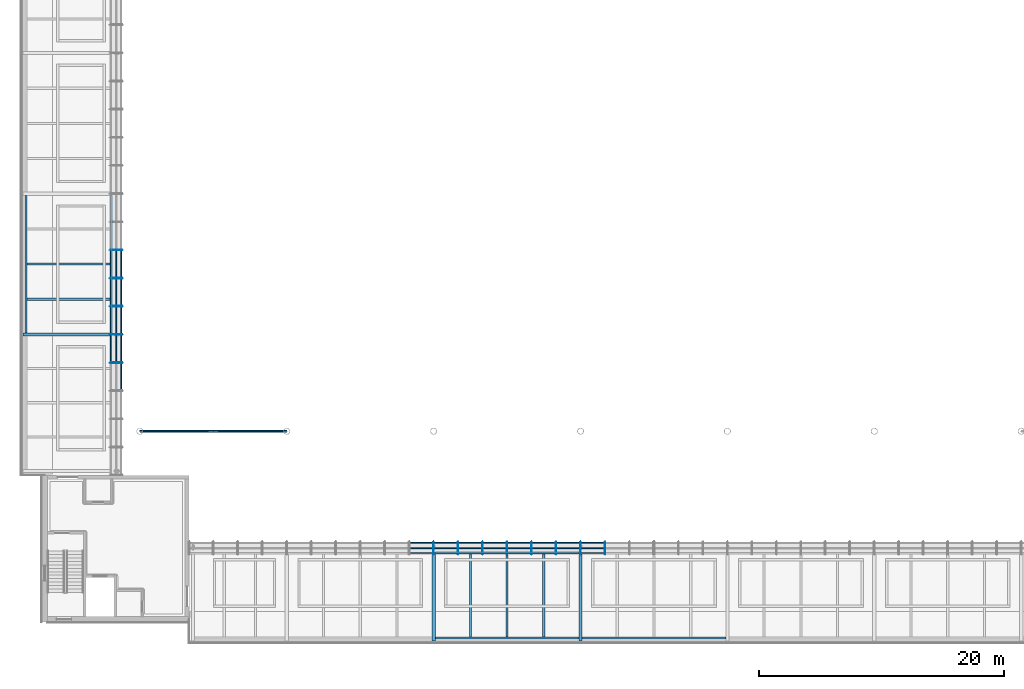
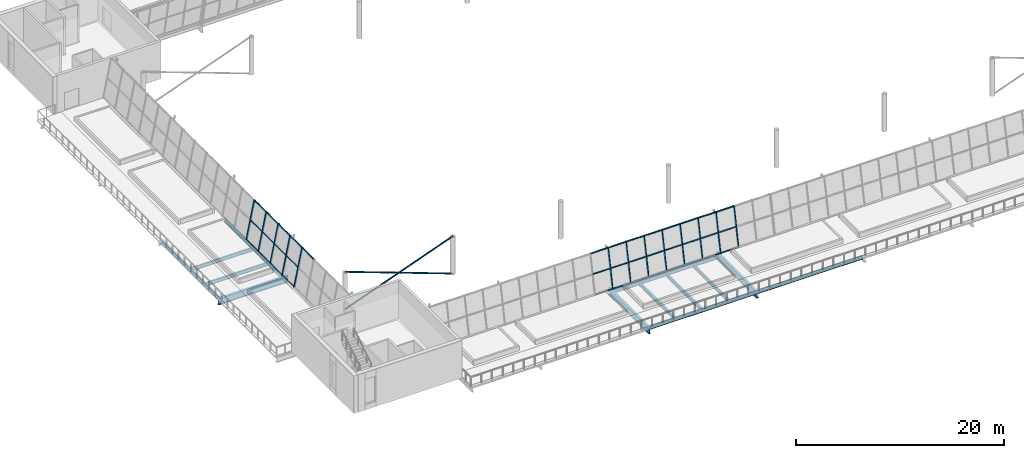
# One storey, part 11 of 58: 53 members, 13 beams, 2 elements without a shape of their own.
"""IFC4 building model written with IfcOpenShell, lengths in metres."""

from ifc_helpers import new_model, si_unit, direction, frame, origin, origin_2d, place, context, subcontext, project, spatial, rectangle, hollow_circle, i_section, extrude, material, layer, layer_set, material_profile, profile_set, type_object, element, aggregate, save


model = new_model("IFC4")

# Units and contexts
model_context = context("Model", 3, precision=1e-05, world=origin(), true_north=direction((0.0, 1.0)))
body_context = subcontext(model_context, "Body", "Model", "MODEL_VIEW")
ifc_project = project(units=[si_unit("LENGTHUNIT", "METRE"), si_unit("AREAUNIT", "SQUARE_METRE"), si_unit("VOLUMEUNIT", "CUBIC_METRE"), si_unit("PLANEANGLEUNIT", "RADIAN"), si_unit("MASSUNIT", "GRAM", prefix="KILO")], contexts=[model_context])

# Site, building, storey
site_placement = place(None, origin())
site = spatial("IfcSite", under=ifc_project, at=site_placement, CompositionType="ELEMENT")
building_placement = place(site_placement, origin())
building = spatial("IfcBuilding", under=site, at=building_placement, Name="Windward Yard Aquatics Centre", CompositionType="ELEMENT")
storey_placement = place(building_placement, frame((0.0, 0.0, 13.800048828125)))
storey = spatial("IfcBuildingStorey", under=building, at=storey_placement, Name="L03", CompositionType="ELEMENT", Elevation=13.800048828125)

# Curtain wall, members
ifc_material_1 = material(Name="Glass and aluminium curtain wall", Category="aluminium")
ifc_layer = layer(ifc_material_1, 0.179931640625)
ifc_layer_set = layer_set([ifc_layer], Name="H curtain wall tier 2 double glazed 6+16+6")
curtain_wall_type = type_object("IfcCurtainWallType", Name="H curtain wall tier 2 double glazed 6+16+6", PredefinedType="NOTDEFINED", material=ifc_layer_set)
curtain_wall_1_placement = place(storey_placement, origin())
curtain_wall_1 = element("IfcCurtainWall", 1, at=curtain_wall_1_placement, inside=storey, type_object=curtain_wall_type, Name="Tier 2 glazing S L03", PredefinedType="NOTDEFINED")
ifc_material_2 = material(Name="Aluminium 6063-T6 anodised", Category="aluminium")
ifc_material_profile_1 = material_profile(ifc_material_2, rectangle(XDim=0.06494140625, YDim=0.179931640625, at=origin_2d()), Name="H CW mullion 65x180")
ifc_profile_set_1 = profile_set([ifc_material_profile_1], Name="Aluminium 6063-T6 anodised")
member_type_1 = type_object("IfcMemberType", Name="H CW mullion 65x180", PredefinedType="MULLION", material=ifc_profile_set_1)
member_1_placement = place(storey_placement, frame((83.997314453125, 31.61376953125, 0.017822265625), z_axis=(0.0, 0.199327811945, 0.979932866775), x_axis=(-1.0, 0.0, 0.0)))
member_1 = element("IfcMember", 2, at=member_1_placement, type_object=member_type_1, Name="G2SA mullion 11", PredefinedType="MULLION", context=body_context, shape_type="SweptSolid", body=[
    extrude(rectangle(XDim=0.06494140625, YDim=0.179931640625, at=origin_2d()), origin(), (0.0, 0.0, 1.0), 4.471923828125),
])
member_2_placement = place(storey_placement, frame((85.9970703125, 31.61376953125, 0.017822265625), z_axis=(0.0, 0.199327811945, 0.979932866775), x_axis=(-1.0, 0.0, 0.0)))
member_2 = element("IfcMember", 3, at=member_2_placement, type_object=member_type_1, Name="G2SA mullion 12", PredefinedType="MULLION", context=body_context, shape_type="SweptSolid", body=[
    extrude(rectangle(XDim=0.06494140625, YDim=0.179931640625, at=origin_2d()), origin(), (0.0, 0.0, 1.0), 4.471923828125),
])
member_3_placement = place(storey_placement, frame((87.996826171875, 31.61376953125, 0.017822265625), z_axis=(0.0, 0.199327811945, 0.979932866775), x_axis=(-1.0, 0.0, 0.0)))
member_3 = element("IfcMember", 4, at=member_3_placement, type_object=member_type_1, Name="G2SA mullion 13", PredefinedType="MULLION", context=body_context, shape_type="SweptSolid", body=[
    extrude(rectangle(XDim=0.06494140625, YDim=0.179931640625, at=origin_2d()), origin(), (0.0, 0.0, 1.0), 4.471923828125),
])
member_4_placement = place(storey_placement, frame((89.99658203125, 31.61376953125, 0.017822265625), z_axis=(0.0, 0.199327811945, 0.979932866775), x_axis=(-1.0, 0.0, 0.0)))
member_4 = element("IfcMember", 5, at=member_4_placement, type_object=member_type_1, Name="G2SA mullion 14", PredefinedType="MULLION", context=body_context, shape_type="SweptSolid", body=[
    extrude(rectangle(XDim=0.06494140625, YDim=0.179931640625, at=origin_2d()), origin(), (0.0, 0.0, 1.0), 4.471923828125),
])
member_5_placement = place(storey_placement, frame((91.996337890625, 31.61376953125, 0.017822265625), z_axis=(0.0, 0.199327811945, 0.979932866775), x_axis=(-1.0, 0.0, 0.0)))
member_5 = element("IfcMember", 6, at=member_5_placement, type_object=member_type_1, Name="G2SA mullion 15", PredefinedType="MULLION", context=body_context, shape_type="SweptSolid", body=[
    extrude(rectangle(XDim=0.06494140625, YDim=0.179931640625, at=origin_2d()), origin(), (0.0, 0.0, 1.0), 4.471923828125),
])
member_6_placement = place(storey_placement, frame((93.99609375, 31.61376953125, 0.017822265625), z_axis=(0.0, 0.199327811945, 0.979932866775), x_axis=(-1.0, 0.0, 0.0)))
member_6 = element("IfcMember", 7, at=member_6_placement, type_object=member_type_1, Name="G2SA mullion 16", PredefinedType="MULLION", context=body_context, shape_type="SweptSolid", body=[
    extrude(rectangle(XDim=0.06494140625, YDim=0.179931640625, at=origin_2d()), origin(), (0.0, 0.0, 1.0), 4.471923828125),
])
member_7_placement = place(storey_placement, frame((95.995849609375, 31.61376953125, 0.017822265625), z_axis=(0.0, 0.199327811945, 0.979932866775), x_axis=(-1.0, 0.0, 0.0)))
member_7 = element("IfcMember", 8, at=member_7_placement, type_object=member_type_1, Name="G2SA mullion 17", PredefinedType="MULLION", context=body_context, shape_type="SweptSolid", body=[
    extrude(rectangle(XDim=0.06494140625, YDim=0.179931640625, at=origin_2d()), origin(), (0.0, 0.0, 1.0), 4.471923828125),
])
member_8_placement = place(storey_placement, frame((97.99560546875, 31.61376953125, 0.017822265625), z_axis=(0.0, 0.199327811945, 0.979932866775), x_axis=(-1.0, 0.0, 0.0)))
member_8 = element("IfcMember", 9, at=member_8_placement, type_object=member_type_1, Name="G2SA mullion 18", PredefinedType="MULLION", context=body_context, shape_type="SweptSolid", body=[
    extrude(rectangle(XDim=0.06494140625, YDim=0.179931640625, at=origin_2d()), origin(), (0.0, 0.0, 1.0), 4.471923828125),
])

curtain_wall_2_placement = place(storey_placement, origin())
curtain_wall_2 = element("IfcCurtainWall", 10, at=curtain_wall_2_placement, inside=storey, type_object=curtain_wall_type, Name="Tier 2 glazing W L03", PredefinedType="NOTDEFINED")
member_9_placement = place(storey_placement, frame((57.61376953125, 47.199951171875, 0.017822265625), z_axis=(0.199327811945, 0.0, 0.979932866775), x_axis=(0.0, 1.0, 0.0)))
member_9 = element("IfcMember", 11, at=member_9_placement, type_object=member_type_1, Name="G2WA mullion 5", PredefinedType="MULLION", context=body_context, shape_type="SweptSolid", body=[
    extrude(rectangle(XDim=0.06494140625, YDim=0.179931640625, at=origin_2d()), origin(), (0.0, 0.0, 1.0), 4.471923828125),
])
member_10_placement = place(storey_placement, frame((57.61376953125, 49.5, 0.017822265625), z_axis=(0.199327811945, 0.0, 0.979932866775), x_axis=(0.0, 1.0, 0.0)))
member_10 = element("IfcMember", 12, at=member_10_placement, type_object=member_type_1, Name="G2WA mullion 6", PredefinedType="MULLION", context=body_context, shape_type="SweptSolid", body=[
    extrude(rectangle(XDim=0.06494140625, YDim=0.179931640625, at=origin_2d()), origin(), (0.0, 0.0, 1.0), 4.471923828125),
])
member_11_placement = place(storey_placement, frame((57.61376953125, 51.800048828125, 0.017822265625), z_axis=(0.199327811945, 0.0, 0.979932866775), x_axis=(0.0, 1.0, 0.0)))
member_11 = element("IfcMember", 13, at=member_11_placement, type_object=member_type_1, Name="G2WA mullion 7", PredefinedType="MULLION", context=body_context, shape_type="SweptSolid", body=[
    extrude(rectangle(XDim=0.06494140625, YDim=0.179931640625, at=origin_2d()), origin(), (0.0, 0.0, 1.0), 4.471923828125),
])
member_12_placement = place(storey_placement, frame((57.61376953125, 54.10009765625, 0.017822265625), z_axis=(0.199327811945, 0.0, 0.979932866775), x_axis=(0.0, 1.0, 0.0)))
member_12 = element("IfcMember", 14, at=member_12_placement, type_object=member_type_1, Name="G2WA mullion 8", PredefinedType="MULLION", context=body_context, shape_type="SweptSolid", body=[
    extrude(rectangle(XDim=0.06494140625, YDim=0.179931640625, at=origin_2d()), origin(), (0.0, 0.0, 1.0), 4.471923828125),
])
member_13_placement = place(storey_placement, frame((57.61376953125, 56.39990234375, 0.017822265625), z_axis=(0.199327811945, 0.0, 0.979932866775), x_axis=(0.0, 1.0, 0.0)))
member_13 = element("IfcMember", 15, at=member_13_placement, type_object=member_type_1, Name="G2WA mullion 9", PredefinedType="MULLION", context=body_context, shape_type="SweptSolid", body=[
    extrude(rectangle(XDim=0.06494140625, YDim=0.179931640625, at=origin_2d()), origin(), (0.0, 0.0, 1.0), 4.471923828125),
])

# Member
ifc_material_profile_2 = material_profile(ifc_material_2, rectangle(XDim=0.06494140625, YDim=0.10009765625, at=origin_2d()), Name="H CW transom 65x100")
ifc_profile_set_2 = profile_set([ifc_material_profile_2], Name="Aluminium 6063-T6 anodised")
member_type_2 = type_object("IfcMemberType", Name="H CW transom 65x100", PredefinedType="USERDEFINED", material=ifc_profile_set_2)
member_14_placement = place(storey_placement, frame((82.030029296875, 31.621337890625, 0.055419921875), z_axis=(1.0, 0.0, 0.0), x_axis=(0.0, -0.979924704642, 0.199367934315)))
member_14 = element("IfcMember", 16, at=member_14_placement, type_object=member_type_2, Name="G2SA transom 10.1", ObjectType="TRANSOM", PredefinedType="USERDEFINED", context=body_context, shape_type="SweptSolid", body=[
    extrude(rectangle(XDim=0.06494140625, YDim=0.10009765625, at=origin_2d()), origin(), (0.0, 0.0, 1.0), 1.934814453125),
])

member_15_placement = place(storey_placement, frame((82.030029296875, 32.0576171875, 2.199951171875), z_axis=(1.0, 0.0, 0.0), x_axis=(0.0, -0.979924704642, 0.199367934315)))
member_15 = element("IfcMember", 17, at=member_15_placement, type_object=member_type_2, Name="G2SA transom 10.2", ObjectType="TRANSOM", PredefinedType="USERDEFINED", context=body_context, shape_type="SweptSolid", body=[
    extrude(rectangle(XDim=0.06494140625, YDim=0.10009765625, at=origin_2d()), origin(), (0.0, 0.0, 1.0), 1.934814453125),
])

member_16_placement = place(storey_placement, frame((82.030029296875, 32.4951171875, 4.35107421875), z_axis=(1.0, 0.0, 0.0), x_axis=(0.0, -0.979924704642, 0.199367934315)))
member_16 = element("IfcMember", 18, at=member_16_placement, type_object=member_type_2, Name="G2SA transom 10.3", ObjectType="TRANSOM", PredefinedType="USERDEFINED", context=body_context, shape_type="SweptSolid", body=[
    extrude(rectangle(XDim=0.06494140625, YDim=0.10009765625, at=origin_2d()), origin(), (0.0, 0.0, 1.0), 1.934814453125),
])

member_17_placement = place(storey_placement, frame((84.02978515625, 31.621337890625, 0.055419921875), z_axis=(1.0, 0.0, 0.0), x_axis=(0.0, -0.979924704642, 0.199367934315)))
member_17 = element("IfcMember", 19, at=member_17_placement, type_object=member_type_2, Name="G2SA transom 11.1", ObjectType="TRANSOM", PredefinedType="USERDEFINED", context=body_context, shape_type="SweptSolid", body=[
    extrude(rectangle(XDim=0.06494140625, YDim=0.10009765625, at=origin_2d()), origin(), (0.0, 0.0, 1.0), 1.934814453125),
])

member_18_placement = place(storey_placement, frame((84.02978515625, 32.0576171875, 2.199951171875), z_axis=(1.0, 0.0, 0.0), x_axis=(0.0, -0.979924704642, 0.199367934315)))
member_18 = element("IfcMember", 20, at=member_18_placement, type_object=member_type_2, Name="G2SA transom 11.2", ObjectType="TRANSOM", PredefinedType="USERDEFINED", context=body_context, shape_type="SweptSolid", body=[
    extrude(rectangle(XDim=0.06494140625, YDim=0.10009765625, at=origin_2d()), origin(), (0.0, 0.0, 1.0), 1.934814453125),
])

member_19_placement = place(storey_placement, frame((84.02978515625, 32.4951171875, 4.35107421875), z_axis=(1.0, 0.0, 0.0), x_axis=(0.0, -0.979924704642, 0.199367934315)))
member_19 = element("IfcMember", 21, at=member_19_placement, type_object=member_type_2, Name="G2SA transom 11.3", ObjectType="TRANSOM", PredefinedType="USERDEFINED", context=body_context, shape_type="SweptSolid", body=[
    extrude(rectangle(XDim=0.06494140625, YDim=0.10009765625, at=origin_2d()), origin(), (0.0, 0.0, 1.0), 1.934814453125),
])

member_20_placement = place(storey_placement, frame((86.029541015625, 31.621337890625, 0.055419921875), z_axis=(1.0, 0.0, 0.0), x_axis=(0.0, -0.979924704642, 0.199367934315)))
member_20 = element("IfcMember", 22, at=member_20_placement, type_object=member_type_2, Name="G2SA transom 12.1", ObjectType="TRANSOM", PredefinedType="USERDEFINED", context=body_context, shape_type="SweptSolid", body=[
    extrude(rectangle(XDim=0.06494140625, YDim=0.10009765625, at=origin_2d()), origin(), (0.0, 0.0, 1.0), 1.934814453125),
])

member_21_placement = place(storey_placement, frame((86.029541015625, 32.0576171875, 2.199951171875), z_axis=(1.0, 0.0, 0.0), x_axis=(0.0, -0.979924704642, 0.199367934315)))
member_21 = element("IfcMember", 23, at=member_21_placement, type_object=member_type_2, Name="G2SA transom 12.2", ObjectType="TRANSOM", PredefinedType="USERDEFINED", context=body_context, shape_type="SweptSolid", body=[
    extrude(rectangle(XDim=0.06494140625, YDim=0.10009765625, at=origin_2d()), origin(), (0.0, 0.0, 1.0), 1.934814453125),
])

member_22_placement = place(storey_placement, frame((86.029541015625, 32.4951171875, 4.35107421875), z_axis=(1.0, 0.0, 0.0), x_axis=(0.0, -0.979924704642, 0.199367934315)))
member_22 = element("IfcMember", 24, at=member_22_placement, type_object=member_type_2, Name="G2SA transom 12.3", ObjectType="TRANSOM", PredefinedType="USERDEFINED", context=body_context, shape_type="SweptSolid", body=[
    extrude(rectangle(XDim=0.06494140625, YDim=0.10009765625, at=origin_2d()), origin(), (0.0, 0.0, 1.0), 1.934814453125),
])

member_23_placement = place(storey_placement, frame((88.029296875, 31.621337890625, 0.055419921875), z_axis=(1.0, 0.0, 0.0), x_axis=(0.0, -0.979924704642, 0.199367934315)))
member_23 = element("IfcMember", 25, at=member_23_placement, type_object=member_type_2, Name="G2SA transom 13.1", ObjectType="TRANSOM", PredefinedType="USERDEFINED", context=body_context, shape_type="SweptSolid", body=[
    extrude(rectangle(XDim=0.06494140625, YDim=0.10009765625, at=origin_2d()), origin(), (0.0, 0.0, 1.0), 1.934814453125),
])

member_24_placement = place(storey_placement, frame((88.029296875, 32.0576171875, 2.199951171875), z_axis=(1.0, 0.0, 0.0), x_axis=(0.0, -0.979924704642, 0.199367934315)))
member_24 = element("IfcMember", 26, at=member_24_placement, type_object=member_type_2, Name="G2SA transom 13.2", ObjectType="TRANSOM", PredefinedType="USERDEFINED", context=body_context, shape_type="SweptSolid", body=[
    extrude(rectangle(XDim=0.06494140625, YDim=0.10009765625, at=origin_2d()), origin(), (0.0, 0.0, 1.0), 1.934814453125),
])

member_25_placement = place(storey_placement, frame((88.029296875, 32.4951171875, 4.35107421875), z_axis=(1.0, 0.0, 0.0), x_axis=(0.0, -0.979924704642, 0.199367934315)))
member_25 = element("IfcMember", 27, at=member_25_placement, type_object=member_type_2, Name="G2SA transom 13.3", ObjectType="TRANSOM", PredefinedType="USERDEFINED", context=body_context, shape_type="SweptSolid", body=[
    extrude(rectangle(XDim=0.06494140625, YDim=0.10009765625, at=origin_2d()), origin(), (0.0, 0.0, 1.0), 1.934814453125),
])

member_26_placement = place(storey_placement, frame((90.029052734375, 31.621337890625, 0.055419921875), z_axis=(1.0, 0.0, 0.0), x_axis=(0.0, -0.979924704642, 0.199367934315)))
member_26 = element("IfcMember", 28, at=member_26_placement, type_object=member_type_2, Name="G2SA transom 14.1", ObjectType="TRANSOM", PredefinedType="USERDEFINED", context=body_context, shape_type="SweptSolid", body=[
    extrude(rectangle(XDim=0.06494140625, YDim=0.10009765625, at=origin_2d()), origin(), (0.0, 0.0, 1.0), 1.934814453125),
])

member_27_placement = place(storey_placement, frame((90.029052734375, 32.0576171875, 2.199951171875), z_axis=(1.0, 0.0, 0.0), x_axis=(0.0, -0.979924704642, 0.199367934315)))
member_27 = element("IfcMember", 29, at=member_27_placement, type_object=member_type_2, Name="G2SA transom 14.2", ObjectType="TRANSOM", PredefinedType="USERDEFINED", context=body_context, shape_type="SweptSolid", body=[
    extrude(rectangle(XDim=0.06494140625, YDim=0.10009765625, at=origin_2d()), origin(), (0.0, 0.0, 1.0), 1.934814453125),
])

member_28_placement = place(storey_placement, frame((90.029052734375, 32.4951171875, 4.35107421875), z_axis=(1.0, 0.0, 0.0), x_axis=(0.0, -0.979924704642, 0.199367934315)))
member_28 = element("IfcMember", 30, at=member_28_placement, type_object=member_type_2, Name="G2SA transom 14.3", ObjectType="TRANSOM", PredefinedType="USERDEFINED", context=body_context, shape_type="SweptSolid", body=[
    extrude(rectangle(XDim=0.06494140625, YDim=0.10009765625, at=origin_2d()), origin(), (0.0, 0.0, 1.0), 1.934814453125),
])

member_29_placement = place(storey_placement, frame((92.02880859375, 31.621337890625, 0.055419921875), z_axis=(1.0, 0.0, 0.0), x_axis=(0.0, -0.979924704642, 0.199367934315)))
member_29 = element("IfcMember", 31, at=member_29_placement, type_object=member_type_2, Name="G2SA transom 15.1", ObjectType="TRANSOM", PredefinedType="USERDEFINED", context=body_context, shape_type="SweptSolid", body=[
    extrude(rectangle(XDim=0.06494140625, YDim=0.10009765625, at=origin_2d()), origin(), (0.0, 0.0, 1.0), 1.934814453125),
])

member_30_placement = place(storey_placement, frame((92.02880859375, 32.0576171875, 2.199951171875), z_axis=(1.0, 0.0, 0.0), x_axis=(0.0, -0.979924704642, 0.199367934315)))
member_30 = element("IfcMember", 32, at=member_30_placement, type_object=member_type_2, Name="G2SA transom 15.2", ObjectType="TRANSOM", PredefinedType="USERDEFINED", context=body_context, shape_type="SweptSolid", body=[
    extrude(rectangle(XDim=0.06494140625, YDim=0.10009765625, at=origin_2d()), origin(), (0.0, 0.0, 1.0), 1.934814453125),
])

member_31_placement = place(storey_placement, frame((92.02880859375, 32.4951171875, 4.35107421875), z_axis=(1.0, 0.0, 0.0), x_axis=(0.0, -0.979924704642, 0.199367934315)))
member_31 = element("IfcMember", 33, at=member_31_placement, type_object=member_type_2, Name="G2SA transom 15.3", ObjectType="TRANSOM", PredefinedType="USERDEFINED", context=body_context, shape_type="SweptSolid", body=[
    extrude(rectangle(XDim=0.06494140625, YDim=0.10009765625, at=origin_2d()), origin(), (0.0, 0.0, 1.0), 1.934814453125),
])

member_32_placement = place(storey_placement, frame((94.028564453125, 31.621337890625, 0.055419921875), z_axis=(1.0, 0.0, 0.0), x_axis=(0.0, -0.979924704642, 0.199367934315)))
member_32 = element("IfcMember", 34, at=member_32_placement, type_object=member_type_2, Name="G2SA transom 16.1", ObjectType="TRANSOM", PredefinedType="USERDEFINED", context=body_context, shape_type="SweptSolid", body=[
    extrude(rectangle(XDim=0.06494140625, YDim=0.10009765625, at=origin_2d()), origin(), (0.0, 0.0, 1.0), 1.934814453125),
])

member_33_placement = place(storey_placement, frame((94.028564453125, 32.0576171875, 2.199951171875), z_axis=(1.0, 0.0, 0.0), x_axis=(0.0, -0.979924704642, 0.199367934315)))
member_33 = element("IfcMember", 35, at=member_33_placement, type_object=member_type_2, Name="G2SA transom 16.2", ObjectType="TRANSOM", PredefinedType="USERDEFINED", context=body_context, shape_type="SweptSolid", body=[
    extrude(rectangle(XDim=0.06494140625, YDim=0.10009765625, at=origin_2d()), origin(), (0.0, 0.0, 1.0), 1.934814453125),
])

member_34_placement = place(storey_placement, frame((94.028564453125, 32.4951171875, 4.35107421875), z_axis=(1.0, 0.0, 0.0), x_axis=(0.0, -0.979924704642, 0.199367934315)))
member_34 = element("IfcMember", 36, at=member_34_placement, type_object=member_type_2, Name="G2SA transom 16.3", ObjectType="TRANSOM", PredefinedType="USERDEFINED", context=body_context, shape_type="SweptSolid", body=[
    extrude(rectangle(XDim=0.06494140625, YDim=0.10009765625, at=origin_2d()), origin(), (0.0, 0.0, 1.0), 1.934814453125),
])

member_35_placement = place(storey_placement, frame((96.0283203125, 31.621337890625, 0.055419921875), z_axis=(1.0, 0.0, 0.0), x_axis=(0.0, -0.979924704642, 0.199367934315)))
member_35 = element("IfcMember", 37, at=member_35_placement, type_object=member_type_2, Name="G2SA transom 17.1", ObjectType="TRANSOM", PredefinedType="USERDEFINED", context=body_context, shape_type="SweptSolid", body=[
    extrude(rectangle(XDim=0.06494140625, YDim=0.10009765625, at=origin_2d()), origin(), (0.0, 0.0, 1.0), 1.934814453125),
])

member_36_placement = place(storey_placement, frame((96.0283203125, 32.0576171875, 2.199951171875), z_axis=(1.0, 0.0, 0.0), x_axis=(0.0, -0.979924704642, 0.199367934315)))
member_36 = element("IfcMember", 38, at=member_36_placement, type_object=member_type_2, Name="G2SA transom 17.2", ObjectType="TRANSOM", PredefinedType="USERDEFINED", context=body_context, shape_type="SweptSolid", body=[
    extrude(rectangle(XDim=0.06494140625, YDim=0.10009765625, at=origin_2d()), origin(), (0.0, 0.0, 1.0), 1.934814453125),
])

member_37_placement = place(storey_placement, frame((96.0283203125, 32.4951171875, 4.35107421875), z_axis=(1.0, 0.0, 0.0), x_axis=(0.0, -0.979924704642, 0.199367934315)))
member_37 = element("IfcMember", 39, at=member_37_placement, type_object=member_type_2, Name="G2SA transom 17.3", ObjectType="TRANSOM", PredefinedType="USERDEFINED", context=body_context, shape_type="SweptSolid", body=[
    extrude(rectangle(XDim=0.06494140625, YDim=0.10009765625, at=origin_2d()), origin(), (0.0, 0.0, 1.0), 1.934814453125),
])

aggregate(curtain_wall_1, [member_1, member_2, member_3, member_4, member_5, member_6, member_7, member_8, member_14, member_15, member_16, member_17, member_18, member_19, member_20, member_21, member_22, member_23, member_24, member_25, member_26, member_27, member_28, member_29, member_30, member_31, member_32, member_33, member_34, member_35, member_36, member_37])

member_38_placement = place(storey_placement, frame((58.4951171875, 44.9326171875, 4.35107421875), z_axis=(0.0, 1.0, 0.0), x_axis=(-0.979924704642, 0.0, 0.199367934315)))
member_38 = element("IfcMember", 40, at=member_38_placement, type_object=member_type_2, Name="G2WA transom 4.3", ObjectType="TRANSOM", PredefinedType="USERDEFINED", context=body_context, shape_type="SweptSolid", body=[
    extrude(rectangle(XDim=0.06494140625, YDim=0.10009765625, at=origin_2d()), origin(), (0.0, 0.0, 1.0), 2.23486328125),
])

member_39_placement = place(storey_placement, frame((57.621337890625, 47.232421875, 0.055419921875), z_axis=(0.0, 1.0, 0.0), x_axis=(-0.979924704642, 0.0, 0.199367934315)))
member_39 = element("IfcMember", 41, at=member_39_placement, type_object=member_type_2, Name="G2WA transom 5.1", ObjectType="TRANSOM", PredefinedType="USERDEFINED", context=body_context, shape_type="SweptSolid", body=[
    extrude(rectangle(XDim=0.06494140625, YDim=0.10009765625, at=origin_2d()), origin(), (0.0, 0.0, 1.0), 2.235107421875),
])

member_40_placement = place(storey_placement, frame((58.0576171875, 47.232421875, 2.199951171875), z_axis=(0.0, 1.0, 0.0), x_axis=(-0.979924704642, 0.0, 0.199367934315)))
member_40 = element("IfcMember", 42, at=member_40_placement, type_object=member_type_2, Name="G2WA transom 5.2", ObjectType="TRANSOM", PredefinedType="USERDEFINED", context=body_context, shape_type="SweptSolid", body=[
    extrude(rectangle(XDim=0.06494140625, YDim=0.10009765625, at=origin_2d()), origin(), (0.0, 0.0, 1.0), 2.235107421875),
])

member_41_placement = place(storey_placement, frame((58.4951171875, 47.232421875, 4.35107421875), z_axis=(0.0, 1.0, 0.0), x_axis=(-0.979924704642, 0.0, 0.199367934315)))
member_41 = element("IfcMember", 43, at=member_41_placement, type_object=member_type_2, Name="G2WA transom 5.3", ObjectType="TRANSOM", PredefinedType="USERDEFINED", context=body_context, shape_type="SweptSolid", body=[
    extrude(rectangle(XDim=0.06494140625, YDim=0.10009765625, at=origin_2d()), origin(), (0.0, 0.0, 1.0), 2.235107421875),
])

member_42_placement = place(storey_placement, frame((57.621337890625, 49.532470703125, 0.055419921875), z_axis=(0.0, 1.0, 0.0), x_axis=(-0.979924704642, 0.0, 0.199367934315)))
member_42 = element("IfcMember", 44, at=member_42_placement, type_object=member_type_2, Name="G2WA transom 6.1", ObjectType="TRANSOM", PredefinedType="USERDEFINED", context=body_context, shape_type="SweptSolid", body=[
    extrude(rectangle(XDim=0.06494140625, YDim=0.10009765625, at=origin_2d()), origin(), (0.0, 0.0, 1.0), 2.235107421875),
])

member_43_placement = place(storey_placement, frame((58.0576171875, 49.532470703125, 2.199951171875), z_axis=(0.0, 1.0, 0.0), x_axis=(-0.979924704642, 0.0, 0.199367934315)))
member_43 = element("IfcMember", 45, at=member_43_placement, type_object=member_type_2, Name="G2WA transom 6.2", ObjectType="TRANSOM", PredefinedType="USERDEFINED", context=body_context, shape_type="SweptSolid", body=[
    extrude(rectangle(XDim=0.06494140625, YDim=0.10009765625, at=origin_2d()), origin(), (0.0, 0.0, 1.0), 2.235107421875),
])

member_44_placement = place(storey_placement, frame((58.4951171875, 49.532470703125, 4.35107421875), z_axis=(0.0, 1.0, 0.0), x_axis=(-0.979924704642, 0.0, 0.199367934315)))
member_44 = element("IfcMember", 46, at=member_44_placement, type_object=member_type_2, Name="G2WA transom 6.3", ObjectType="TRANSOM", PredefinedType="USERDEFINED", context=body_context, shape_type="SweptSolid", body=[
    extrude(rectangle(XDim=0.06494140625, YDim=0.10009765625, at=origin_2d()), origin(), (0.0, 0.0, 1.0), 2.235107421875),
])

member_45_placement = place(storey_placement, frame((57.621337890625, 51.83251953125, 0.055419921875), z_axis=(0.0, 1.0, 0.0), x_axis=(-0.979924704642, 0.0, 0.199367934315)))
member_45 = element("IfcMember", 47, at=member_45_placement, type_object=member_type_2, Name="G2WA transom 7.1", ObjectType="TRANSOM", PredefinedType="USERDEFINED", context=body_context, shape_type="SweptSolid", body=[
    extrude(rectangle(XDim=0.06494140625, YDim=0.10009765625, at=origin_2d()), origin(), (0.0, 0.0, 1.0), 2.23486328125),
])

member_46_placement = place(storey_placement, frame((58.0576171875, 51.83251953125, 2.199951171875), z_axis=(0.0, 1.0, 0.0), x_axis=(-0.979924704642, 0.0, 0.199367934315)))
member_46 = element("IfcMember", 48, at=member_46_placement, type_object=member_type_2, Name="G2WA transom 7.2", ObjectType="TRANSOM", PredefinedType="USERDEFINED", context=body_context, shape_type="SweptSolid", body=[
    extrude(rectangle(XDim=0.06494140625, YDim=0.10009765625, at=origin_2d()), origin(), (0.0, 0.0, 1.0), 2.23486328125),
])

member_47_placement = place(storey_placement, frame((58.4951171875, 51.83251953125, 4.35107421875), z_axis=(0.0, 1.0, 0.0), x_axis=(-0.979924704642, 0.0, 0.199367934315)))
member_47 = element("IfcMember", 49, at=member_47_placement, type_object=member_type_2, Name="G2WA transom 7.3", ObjectType="TRANSOM", PredefinedType="USERDEFINED", context=body_context, shape_type="SweptSolid", body=[
    extrude(rectangle(XDim=0.06494140625, YDim=0.10009765625, at=origin_2d()), origin(), (0.0, 0.0, 1.0), 2.23486328125),
])

member_48_placement = place(storey_placement, frame((57.621337890625, 54.132568359375, 0.055419921875), z_axis=(0.0, 1.0, 0.0), x_axis=(-0.979924704642, 0.0, 0.199367934315)))
member_48 = element("IfcMember", 50, at=member_48_placement, type_object=member_type_2, Name="G2WA transom 8.1", ObjectType="TRANSOM", PredefinedType="USERDEFINED", context=body_context, shape_type="SweptSolid", body=[
    extrude(rectangle(XDim=0.06494140625, YDim=0.10009765625, at=origin_2d()), origin(), (0.0, 0.0, 1.0), 2.23486328125),
])

member_49_placement = place(storey_placement, frame((58.0576171875, 54.132568359375, 2.199951171875), z_axis=(0.0, 1.0, 0.0), x_axis=(-0.979924704642, 0.0, 0.199367934315)))
member_49 = element("IfcMember", 51, at=member_49_placement, type_object=member_type_2, Name="G2WA transom 8.2", ObjectType="TRANSOM", PredefinedType="USERDEFINED", context=body_context, shape_type="SweptSolid", body=[
    extrude(rectangle(XDim=0.06494140625, YDim=0.10009765625, at=origin_2d()), origin(), (0.0, 0.0, 1.0), 2.23486328125),
])

member_50_placement = place(storey_placement, frame((58.4951171875, 54.132568359375, 4.35107421875), z_axis=(0.0, 1.0, 0.0), x_axis=(-0.979924704642, 0.0, 0.199367934315)))
member_50 = element("IfcMember", 52, at=member_50_placement, type_object=member_type_2, Name="G2WA transom 8.3", ObjectType="TRANSOM", PredefinedType="USERDEFINED", context=body_context, shape_type="SweptSolid", body=[
    extrude(rectangle(XDim=0.06494140625, YDim=0.10009765625, at=origin_2d()), origin(), (0.0, 0.0, 1.0), 2.23486328125),
])

aggregate(curtain_wall_2, [member_9, member_10, member_11, member_12, member_13, member_38, member_39, member_40, member_41, member_42, member_43, member_44, member_45, member_46, member_47, member_48, member_49, member_50])

# Members
ifc_material_3 = material(Name="Steel ASTM A500 Gr C", Category="steel")
ifc_material_profile_3 = material_profile(ifc_material_3, hollow_circle(Radius=0.084228515625, WallThickness=0.010986328125, at=origin_2d()), Name="HSS168.3X11")
ifc_profile_set_3 = profile_set([ifc_material_profile_3], Name="Steel ASTM A500 Gr C")
member_type_3 = type_object("IfcMemberType", Name="H column brace HSS168.3X11", PredefinedType="BRACE", material=ifc_profile_set_3)
member_51_placement = place(storey_placement, frame((60.0, 41.60009765625, 0.0), z_axis=(0.938878785405, 0.0, 0.344247914033), x_axis=(0.0, 1.0, 0.0)))
element("IfcMember", 53, at=member_51_placement, inside=storey, type_object=member_type_3, Name="H.VB.S1.L03.A", PredefinedType="BRACE", context=body_context, shape_type="SweptSolid", body=[
    extrude(hollow_circle(Radius=0.084228515625, WallThickness=0.010986328125, at=origin_2d()), origin(), (0.0, 0.0, 1.0), 12.78125),
])
for number, where, z_axis, x_axis, name in (
    (54, (60.0, 41.60009765625, 4.39990234375), (0.938872965334, 0.0, -0.344263786891), (0.0, 1.0, 0.0), "H.VB.S1.L03.B1"),
    (55, (66.103515625, 41.60009765625, 2.162109375), (0.938872965334, 0.0, -0.344263786891), (0.0, 1.0, 0.0), "H.VB.S1.L03.B2"),
):
    element("IfcMember", number, at=place(storey_placement, frame(where, z_axis=z_axis, x_axis=x_axis)), inside=storey, type_object=member_type_3, Name=name, PredefinedType="BRACE", context=body_context, shape_type="SweptSolid", body=[
        extrude(hollow_circle(Radius=0.084228515625, WallThickness=0.010986328125, at=origin_2d()), origin(), (0.0, 0.0, 1.0), 6.2802734375),
    ])

# Beams
ifc_material_4 = material(Name="Steel ASTM A992 Gr 50", Category="steel")
ifc_material_profile_4 = material_profile(ifc_material_4, i_section(OverallWidth=0.177978515625, OverallDepth=0.406005859375, WebThickness=0.0078125, FlangeThickness=0.0126953125, at=origin_2d()), Name="W410X60")
ifc_profile_set_4 = profile_set([ifc_material_profile_4], Name="Steel ASTM A992 Gr 50")
beam_type_1 = type_object("IfcBeamType", Name="H terrace secondary beam W410X60", PredefinedType="BEAM", material=ifc_profile_set_4)
for number, where, z_axis, x_axis, name in (
    (56, (84.133544921875, 24.698974609375, -0.35302734375), (1.0, 0.0, 0.0), (0.0, 1.0, 0.0), "H.T1E.S3.O"),
    (57, (84.133544921875, 31.709716796875, -0.35302734375), (1.0, 0.0, 0.0), (0.0, 1.0, 0.0), "H.T1E.S3.I"),
):
    element("IfcBeam", number, at=place(storey_placement, frame(where, z_axis=z_axis, x_axis=x_axis)), inside=storey, type_object=beam_type_1, Name=name, PredefinedType="BEAM", context=body_context, shape_type="SweptSolid", body=[
        extrude(i_section(OverallWidth=0.177978515625, OverallDepth=0.406005859375, WebThickness=0.0078125, FlangeThickness=0.0126953125, at=origin_2d()), origin(), (0.0, 0.0, 1.0), 11.73291015625),
    ])
for number, where, z_axis, x_axis, name in (
    (58, (87.0, 24.7880859375, -0.35302734375), (0.0, 1.0, 0.0), (-1.0, 0.0, 0.0), "H.T1S.S3.1"),
    (59, (90.0, 24.7880859375, -0.35302734375), (0.0, 1.0, 0.0), (-1.0, 0.0, 0.0), "H.T1S.S3.2"),
    (60, (93.0, 24.7880859375, -0.35302734375), (0.0, 1.0, 0.0), (-1.0, 0.0, 0.0), "H.T1S.S3.3"),
):
    element("IfcBeam", number, at=place(storey_placement, frame(where, z_axis=z_axis, x_axis=x_axis)), inside=storey, type_object=beam_type_1, Name=name, PredefinedType="BEAM", context=body_context, shape_type="SweptSolid", body=[
        extrude(i_section(OverallWidth=0.177978515625, OverallDepth=0.406005859375, WebThickness=0.0078125, FlangeThickness=0.0126953125, at=origin_2d()), origin(), (0.0, 0.0, 1.0), 6.83251953125),
    ])
beam_placement = place(storey_placement, frame((96.133544921875, 24.698974609375, -0.35302734375), z_axis=(1.0, 0.0, 0.0), x_axis=(0.0, 1.0, 0.0)))
element("IfcBeam", 61, at=beam_placement, inside=storey, type_object=beam_type_1, Name="H.T1E.S4.O", PredefinedType="BEAM", context=body_context, shape_type="SweptSolid", body=[
    extrude(i_section(OverallWidth=0.177978515625, OverallDepth=0.406005859375, WebThickness=0.0078125, FlangeThickness=0.0126953125, at=origin_2d()), origin(), (0.0, 0.0, 1.0), 11.73291015625),
])
for number, where, z_axis, x_axis, name in (
    (62, (50.698974609375, 49.633544921875, -0.35302734375), (0.0, 1.0, 0.0), (-1.0, 0.0, 0.0), "H.T1E.W2.O"),
    (63, (57.709716796875, 49.633544921875, -0.35302734375), (0.0, 1.0, 0.0), (-1.0, 0.0, 0.0), "H.T1E.W2.I"),
):
    element("IfcBeam", number, at=place(storey_placement, frame(where, z_axis=z_axis, x_axis=x_axis)), inside=storey, type_object=beam_type_1, Name=name, PredefinedType="BEAM", context=body_context, shape_type="SweptSolid", body=[
        extrude(i_section(OverallWidth=0.177978515625, OverallDepth=0.406005859375, WebThickness=0.0078125, FlangeThickness=0.0126953125, at=origin_2d()), origin(), (0.0, 0.0, 1.0), 11.23291015625),
    ])
for number, where, z_axis, x_axis, name in (
    (64, (50.7880859375, 52.375, -0.35302734375), (1.0, 0.0, 0.0), (0.0, 1.0, 0.0), "H.T1S.W2.1"),
    (65, (50.7880859375, 55.25, -0.35302734375), (1.0, 0.0, 0.0), (0.0, 1.0, 0.0), "H.T1S.W2.2"),
):
    element("IfcBeam", number, at=place(storey_placement, frame(where, z_axis=z_axis, x_axis=x_axis)), inside=storey, type_object=beam_type_1, Name=name, PredefinedType="BEAM", context=body_context, shape_type="SweptSolid", body=[
        extrude(i_section(OverallWidth=0.177978515625, OverallDepth=0.406005859375, WebThickness=0.0078125, FlangeThickness=0.0126953125, at=origin_2d()), origin(), (0.0, 0.0, 1.0), 6.83251953125),
    ])
ifc_material_profile_5 = material_profile(ifc_material_4, i_section(OverallWidth=0.26708984375, OverallDepth=0.75390625, WebThickness=0.01318359375, FlangeThickness=0.01708984375, at=origin_2d()), Name="W760X147")
ifc_profile_set_5 = profile_set([ifc_material_profile_5], Name="Steel ASTM A992 Gr 50")
beam_type_2 = type_object("IfcBeamType", Name="H terrace transfer girder W760X147", PredefinedType="BEAM", material=ifc_profile_set_5)
for number, where, z_axis, x_axis, name in (
    (66, (84.0, 24.448974609375, -0.527099609375), (0.0, 1.0, 0.0), (-1.0, 0.0, 0.0), "H.T1B.S3"),
    (67, (96.0, 24.448974609375, -0.527099609375), (0.0, 1.0, 0.0), (-1.0, 0.0, 0.0), "H.T1B.S4"),
    (68, (50.448974609375, 49.5, -0.527099609375), (1.0, 0.0, 0.0), (0.0, 1.0, 0.0), "H.T1B.W2"),
):
    element("IfcBeam", number, at=place(storey_placement, frame(where, z_axis=z_axis, x_axis=x_axis)), inside=storey, type_object=beam_type_2, Name=name, PredefinedType="BEAM", context=body_context, shape_type="SweptSolid", body=[
        extrude(i_section(OverallWidth=0.26708984375, OverallDepth=0.75390625, WebThickness=0.01318359375, FlangeThickness=0.01708984375, at=origin_2d()), origin(), (0.0, 0.0, 1.0), 7.766357421875),
    ])

save(model, "model.ifc")
